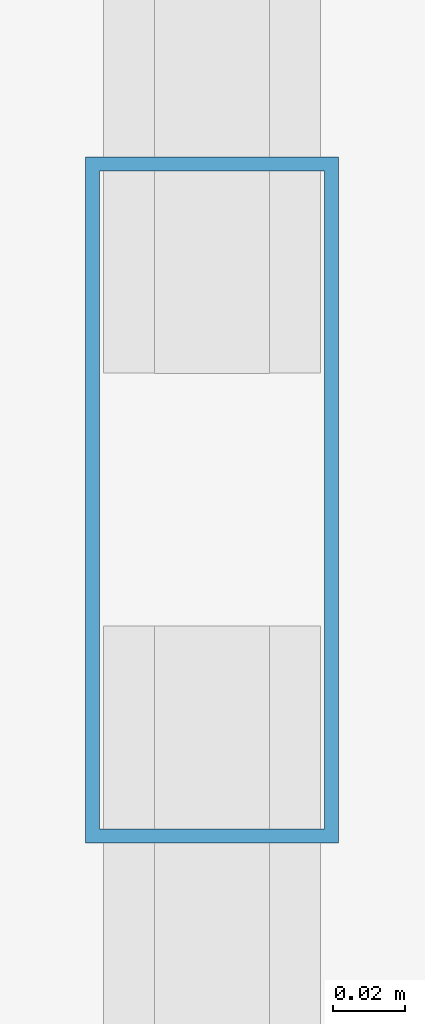
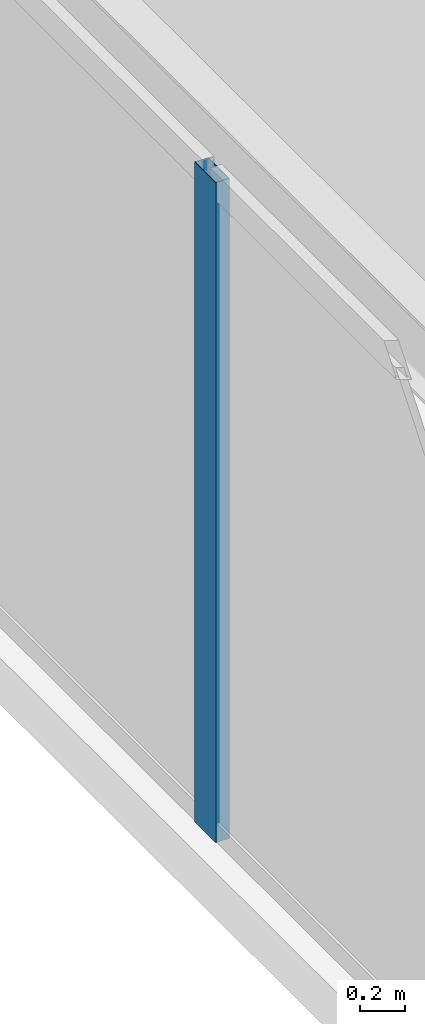
# One storey, part 10 of 32: 1 member, 1 element without a shape of its own.
"""IFC4 building model written with IfcOpenShell, lengths in metres."""

from ifc_helpers import new_model, si_unit, direction, frame, origin, origin_2d, place, context, subcontext, project, spatial, hollow_rectangle, extrude, source, transform, mapped, material, layer, layer_set, material_profile, profile_set, type_object, type_shapes, element, aggregate, save


model = new_model("IFC4")

# Units and contexts
model_context = context("Model", 3, precision=1e-05, world=origin(), true_north=direction((0.0, 1.0)))
body_context = subcontext(model_context, "Body", "Model", "MODEL_VIEW")
ifc_project = project(units=[si_unit("LENGTHUNIT", "METRE"), si_unit("AREAUNIT", "SQUARE_METRE"), si_unit("VOLUMEUNIT", "CUBIC_METRE"), si_unit("PLANEANGLEUNIT", "RADIAN"), si_unit("MASSUNIT", "GRAM", prefix="KILO")], contexts=[model_context])

# Site, building, storey
site_placement = place(None, origin())
site = spatial("IfcSite", under=ifc_project, at=site_placement, CompositionType="ELEMENT")
building_placement = place(site_placement, origin())
building = spatial("IfcBuilding", under=site, at=building_placement, Name="Varnel Quay Broadcast Tower", CompositionType="ELEMENT")
storey_placement = place(building_placement, frame((0.0, 0.0, 78.300048828125)))
storey = spatial("IfcBuildingStorey", under=building, at=storey_placement, Name="L18", CompositionType="ELEMENT", Elevation=78.300048828125)

# Curtain wall, member
ifc_material = material(Name="Anodised Bronze Aluminium 6063-T6", Category="aluminium")
ifc_layer = layer(ifc_material, 0.18994140625, Name="Anodised Bronze Aluminium 6063-T6")
ifc_layer_set = layer_set([ifc_layer], Name="Anodised Bronze Aluminium 6063-T6")
curtain_wall_type = type_object("IfcCurtainWallType", Name="CW_LowerTower", PredefinedType="NOTDEFINED", material=ifc_layer_set)
curtain_wall_placement = place(storey_placement, origin())
curtain_wall = element("IfcCurtainWall", 1, at=curtain_wall_placement, inside=storey, type_object=curtain_wall_type, Name="L18 West Unitised Curtain Wall", PredefinedType="NOTDEFINED")
ifc_material_profile = material_profile(ifc_material, hollow_rectangle(XDim=0.070068359375, YDim=0.18994140625, WallThickness=0.00390625, at=origin_2d()), Name="ALU70X190X4")
ifc_profile_set = profile_set([ifc_material_profile], Name="Anodised Bronze Aluminium 6063-T6")
member_type = type_object("IfcMemberType", Name="Mull_CWS-02", PredefinedType="MULLION", material=ifc_profile_set)
shared_shape = source(origin(), body_context, "Body", "SweptSolid", [
    extrude(hollow_rectangle(XDim=0.070068359375, YDim=0.18994140625, WallThickness=0.00390625, at=origin_2d()), origin(), (0.0, 0.0, 1.0), 3.579833984375),
])
type_shapes(member_type, [shared_shape])
member_placement = place(storey_placement, frame((2.14990234375, 30.39990234375, 0.0), z_axis=(0.0, 0.0, 1.0), x_axis=(-1.0, 0.0, 0.0)))
member = element("IfcMember", 2, at=member_placement, type_object=member_type, Name="CWS-02 mullion 3", PredefinedType="MULLION", context=body_context, shape_type="MappedRepresentation", body=[
    mapped(shared_shape, transform((0.0, 0.0, 0.0), x_axis=(1.0, 0.0, 0.0), y_axis=(0.0, 1.0, 0.0), z_axis=(0.0, 0.0, 1.0), scale=1.0)),
])
aggregate(curtain_wall, [member])

save(model, "model.ifc")
